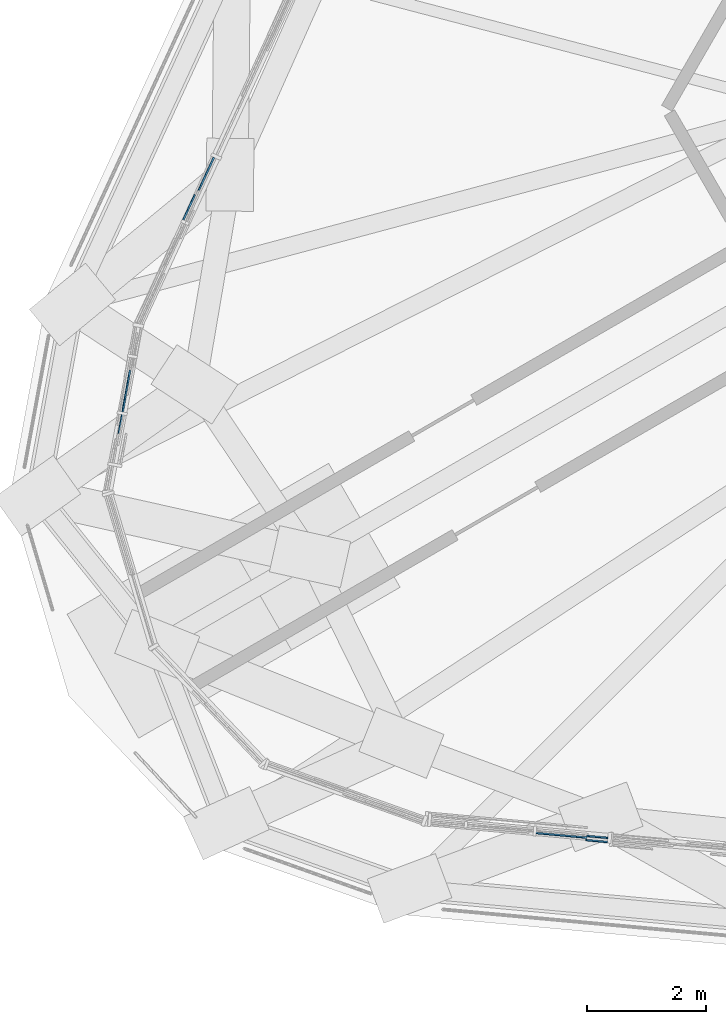
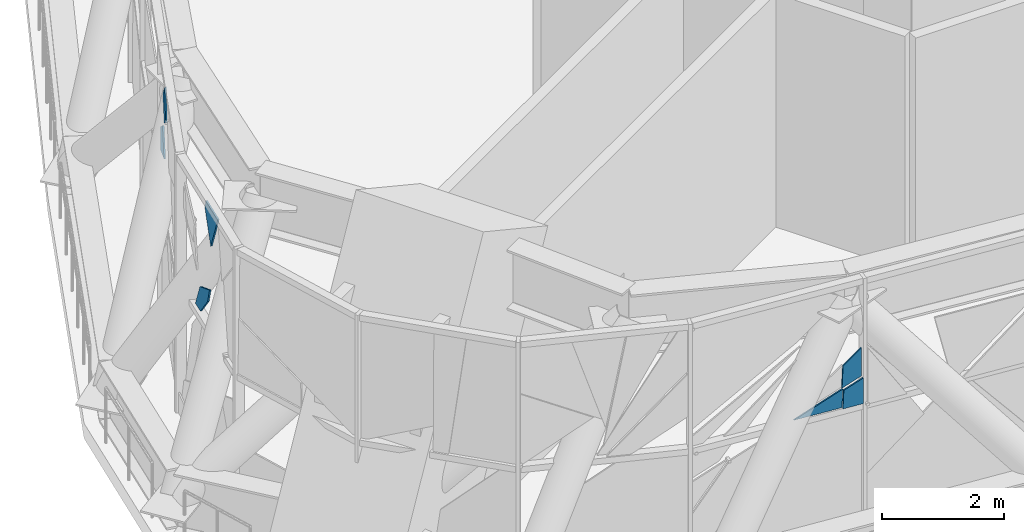
# One storey, part 19 of 35: 7 plates, 3 elements without a shape of their own.
"""IFC4 building model written with IfcOpenShell, lengths in metres."""

import ifcopenshell
import ifcopenshell.guid

model = None  # the IFC model being written
_history = None  # IfcOwnerHistory: only IFC2X3 demands one
_inside = {}  # id of a spatial element -> (the spatial element, [elements in it])
_under = {}  # id of a project, library or spatial element -> (it, [spatial elements below it])
_declared = {}  # id of a project -> (the project, [libraries it declares])
_typed = {}  # id of a type object -> (the type object, [elements of that type])
_made_of = {}  # id of a material, layer set ... -> (it, [elements and type objects made of it])


def new_model(schema):
    """Start an empty IFC model of exactly this schema.

    Asked for "IFC4X3", IfcOpenShell would pick the latest addendum, in which some entities
    have other attributes; the version numbers below select the first issue.
    IFC2X3 requires an IfcOwnerHistory on every rooted entity: one is made here for all.
    """
    global model, _history
    if schema == "IFC4X3":
        model = ifcopenshell.file(schema_version=(4, 3, 0, 0))
    else:
        model = ifcopenshell.file(schema=schema)
    _inside.clear()
    _under.clear()
    _declared.clear()
    _typed.clear()
    _made_of.clear()
    _history = None
    if model.schema == "IFC2X3":
        org = make("IfcOrganization", Name="unknown")
        user = make(
            "IfcPersonAndOrganization",
            ThePerson=make("IfcPerson", FamilyName="unknown"),
            TheOrganization=org,
        )
        app = make(
            "IfcApplication",
            ApplicationDeveloper=org,
            Version="unknown",
            ApplicationFullName="unknown",
            ApplicationIdentifier="unknown",
        )
        _history = make(
            "IfcOwnerHistory",
            OwningUser=user,
            OwningApplication=app,
            ChangeAction="ADDED",
            CreationDate=0,
        )
    return model


def make(cls, **values):
    """One entity of the class cls with the attributes given. An attribute that is None is left unset."""
    return model.create_entity(
        cls, **{name: value for name, value in values.items() if value is not None}
    )


def rooted(cls, **values):
    """An entity with a GlobalId (a new one), such as an element, a storey or a relation."""
    return make(cls, GlobalId=ifcopenshell.guid.new(), OwnerHistory=_history, **values)


def si_unit(unit_type, name, prefix=None):
    """IfcSIUnit, for example si_unit("LENGTHUNIT", "METRE", prefix="MILLI")."""
    return make("IfcSIUnit", UnitType=unit_type, Prefix=prefix, Name=name)


def assignment(units):
    """IfcUnitAssignment: the units of a project."""
    return None if units is None else make("IfcUnitAssignment", Units=units)


def point(xyz):
    """IfcCartesianPoint."""
    return None if xyz is None else make("IfcCartesianPoint", Coordinates=xyz)


def direction(xyz):
    """IfcDirection."""
    return None if xyz is None else make("IfcDirection", DirectionRatios=xyz)


def frame(location, z_axis=None, x_axis=None):
    """IfcAxis2Placement3D, a coordinate frame: its origin and axes. An axis left out is left unset."""
    return make(
        "IfcAxis2Placement3D",
        Location=point(location),
        Axis=direction(z_axis),
        RefDirection=direction(x_axis),
    )


def origin():
    """The frame at (0, 0, 0) with its axes left unset."""
    return frame((0.0, 0.0, 0.0))


def place(relative_to, where):
    """IfcLocalPlacement: puts the frame where relative to a parent placement (None: the world)."""
    return make(
        "IfcLocalPlacement", PlacementRelTo=relative_to, RelativePlacement=where
    )


def context(
    kind, dimensions, precision=None, world=None, true_north=None, identifier=None
):
    """IfcGeometricRepresentationContext, for example the 3D "Model" context."""
    return make(
        "IfcGeometricRepresentationContext",
        ContextIdentifier=identifier,
        ContextType=kind,
        CoordinateSpaceDimension=dimensions,
        Precision=precision,
        WorldCoordinateSystem=world,
        TrueNorth=true_north,
    )


def subcontext(parent, identifier, kind, view, scale=None):
    """IfcGeometricRepresentationSubContext, for example "Body" below "Model"."""
    return make(
        "IfcGeometricRepresentationSubContext",
        ContextIdentifier=identifier,
        ContextType=kind,
        ParentContext=parent,
        TargetScale=scale,
        TargetView=view,
    )


def project(units=None, contexts=None):
    """IfcProject with its units and contexts."""
    return rooted(
        "IfcProject",
        Name="project",
        RepresentationContexts=contexts,
        UnitsInContext=assignment(units),
    )


def spatial(cls, under=None, at=None, **own):
    """A site, building, storey or space (cls), placed at a placement, below another one or the project."""
    s = rooted(cls, ObjectPlacement=at, **own)
    if under is not None:
        _under.setdefault(under.id(), (under, []))[1].append(s)
    return s


def polyline(points):
    """IfcPolyline through the points."""
    return make("IfcPolyline", Points=[point(p) for p in points])


def outline(outer, holes=None, kind="AREA"):
    """IfcArbitraryClosedProfileDef: a profile drawn as a closed curve; with holes, ...WithVoids."""
    if holes is None:
        return make("IfcArbitraryClosedProfileDef", ProfileType=kind, OuterCurve=outer)
    return make(
        "IfcArbitraryProfileDefWithVoids",
        ProfileType=kind,
        OuterCurve=outer,
        InnerCurves=holes,
    )


def extrude(swept, where, along, depth):
    """IfcExtrudedAreaSolid: the profile swept, set in the frame where, extruded along a direction by depth."""
    return make(
        "IfcExtrudedAreaSolid",
        SweptArea=swept,
        Position=where,
        ExtrudedDirection=direction(along),
        Depth=depth,
    )


def shape(context_of_items, identifier, shape_type, items):
    """IfcShapeRepresentation: the items that make up one representation, for example the "Body"."""
    return make(
        "IfcShapeRepresentation",
        ContextOfItems=context_of_items,
        RepresentationIdentifier=identifier,
        RepresentationType=shape_type,
        Items=items,
    )


def material(Name=None, Category=None):
    """IfcMaterial."""
    return make("IfcMaterial", Name=Name, Category=Category)


def layer(
    of_material, thickness, ventilated=None, Name=None, Category=None, Priority=None
):
    """IfcMaterialLayer: one layer of a wall or slab, of a material (None: an air gap)."""
    return make(
        "IfcMaterialLayer",
        Material=of_material,
        LayerThickness=thickness,
        IsVentilated=ventilated,
        Name=Name,
        Category=Category,
        Priority=Priority,
    )


def layer_set(layers, Name=None):
    """IfcMaterialLayerSet."""
    return make("IfcMaterialLayerSet", MaterialLayers=layers, LayerSetName=Name)


def made_of(thing, what):
    """Note that an element or type object is made of a material, layer set ...; save() writes the relation."""
    if what is not None:
        _made_of.setdefault(what.id(), (what, []))[1].append(thing)
    return thing


def type_object(cls, material=None, **own):
    """A type object (cls), such as IfcWallType, which elements share."""
    return made_of(rooted(cls, **own), material)


def element(
    cls,
    number,
    at=None,
    inside=None,
    cuts=None,
    type_object=None,
    material=None,
    context=None,
    identifier="Body",
    shape_type=None,
    held_by="IfcProductDefinitionShape",
    body=None,
    shapes=None,
    **own,
):
    """One element of the class cls, such as IfcWall. Its Tag is "e" and its number.

    at: its placement. inside: the storey or other place that contains it. cuts: it is an
    opening in that element (IfcRelVoidsElement). A single representation is given by context,
    identifier, shape_type and body (its items); several are given by shapes. held_by: the class
    of the entity that holds the representations. save() writes the other relations.
    """
    e = rooted(cls, Tag="e%d" % number, ObjectPlacement=at, **own)
    if body is not None:
        shapes = [shape(context, identifier, shape_type, body)]
    if shapes is not None:
        e.Representation = make(held_by, Representations=shapes)
    if inside is not None:
        _inside.setdefault(inside.id(), (inside, []))[1].append(e)
    if cuts is not None:
        rooted(
            "IfcRelVoidsElement", RelatingBuildingElement=cuts, RelatedOpeningElement=e
        )
    if type_object is not None:
        _typed.setdefault(type_object.id(), (type_object, []))[1].append(e)
    return made_of(e, material)


def aggregate(whole, parts):
    """IfcRelAggregates: a whole, such as a stair, and the parts it consists of."""
    return rooted("IfcRelAggregates", RelatingObject=whole, RelatedObjects=parts)


def save(model, path):
    """Write the relations noted so far, then the file.

    IfcRelAggregates (storeys below a building ...), IfcRelContainedInSpatialStructure (elements
    in a storey), IfcRelDefinesByType, IfcRelAssociatesMaterial and IfcRelDeclares: one each for
    every whole, place, type object, material and project.
    """
    for whole, parts in _under.values():
        aggregate(whole, parts)
    for where, things in _inside.values():
        rooted(
            "IfcRelContainedInSpatialStructure",
            RelatedElements=things,
            RelatingStructure=where,
        )
    for kind, things in _typed.values():
        rooted("IfcRelDefinesByType", RelatedObjects=things, RelatingType=kind)
    for what, things in _made_of.values():
        rooted("IfcRelAssociatesMaterial", RelatedObjects=things, RelatingMaterial=what)
    for by, libraries in _declared.values():
        rooted("IfcRelDeclares", RelatingContext=by, RelatedDefinitions=libraries)
    model.write(path)


model = new_model("IFC4")

# Units and contexts
model_context = context("Model", 3, precision=1e-05, world=origin(), true_north=direction((0.0, 1.0)))
body_context = subcontext(model_context, "Body", "Model", "MODEL_VIEW")
ifc_project = project(units=[si_unit("LENGTHUNIT", "METRE"), si_unit("AREAUNIT", "SQUARE_METRE"), si_unit("VOLUMEUNIT", "CUBIC_METRE"), si_unit("PLANEANGLEUNIT", "RADIAN"), si_unit("MASSUNIT", "GRAM", prefix="KILO")], contexts=[model_context])

# Site, building, storey
site_placement = place(None, origin())
site = spatial("IfcSite", under=ifc_project, at=site_placement, CompositionType="ELEMENT")
building_placement = place(site_placement, origin())
building = spatial("IfcBuilding", under=site, at=building_placement, Name="Mestral Congress Tower", CompositionType="ELEMENT")
storey_placement = place(building_placement, frame((0.0, 0.0, 196.199951171875)))
storey = spatial("IfcBuildingStorey", under=building, at=storey_placement, Name="L46", CompositionType="ELEMENT", Elevation=196.199951171875)

# Curtain wall, plates
ifc_material_1 = material(Name="Clear low-emissivity double glazing", Category="glass")
curtain_wall_type = type_object("IfcCurtainWallType", Name="Facade refuge band screen", PredefinedType="USERDEFINED", material=ifc_material_1)
placement = place(storey_placement, origin())
curtain_wall_1 = element("IfcCurtainWall", 1, at=placement, inside=storey, type_object=curtain_wall_type, Name="Facade refuge band screen corner 3", ObjectType="CURTAIN WALL", PredefinedType="USERDEFINED")
ifc_material_2 = material(Name="Anodised aluminium", Category="aluminium")
ifc_layer_1 = layer(ifc_material_2, 0.028076171875)
ifc_layer_set_1 = layer_set([ifc_layer_1], Name="Anodised aluminium")
plate_type_1 = type_object("IfcPlateType", Name="Facade refuge band screen brace cover panel", PredefinedType="CURTAIN_PANEL", material=ifc_layer_set_1)
plate_1_placement = place(storey_placement, frame((-27.0966796875, -10.956298828125, 3.134521484375), z_axis=(-0.983481844157, 0.180992424672, 0.002281320904), x_axis=(-0.160520127382, -0.877924646615, 0.451089352093)))
plate_1 = element("IfcPlate", 2, at=plate_1_placement, type_object=plate_type_1, Name="Facade refuge band screen brace cover panel", PredefinedType="CURTAIN_PANEL", context=body_context, shape_type="SweptSolid", body=[
    extrude(outline(polyline([(0.0, 0.0), (0.5222809167313478, 5.551115123125783e-17), (0.3111134745646191, -0.21660935327501396), (-0.19297125281564084, -0.4339815483312236), (-0.40652872886132385, -0.3260421822222483), (0.0, 0.0)])), origin(), (0.0, 0.0, -1.0), 0.028076171875),
])
plate_2_placement = place(storey_placement, frame((-27.248779296875, -11.804443359375, 5.030029296875), z_axis=(-0.983538147679, 0.180691253605, 0.001839274679), x_axis=(0.073138364803, 0.40737287873, -0.910328576542)))
plate_2 = element("IfcPlate", 3, at=plate_2_placement, type_object=plate_type_1, Name="Facade refuge band screen brace cover panel", PredefinedType="CURTAIN_PANEL", context=body_context, shape_type="SweptSolid", body=[
    extrude(outline(polyline([(0.0, 0.0), (0.8252193994476587, 0.0), (0.40805513100210744, -0.5034724717855713), (0.243379281836104, -0.5353093255890309), (0.0, 0.0)])), origin(), (0.0, 0.0, -1.0), 0.028076171875),
])
aggregate(curtain_wall_1, [plate_1, plate_2])

curtain_wall_2 = element("IfcCurtainWall", 4, at=placement, inside=storey, type_object=curtain_wall_type, Name="Facade refuge band screen face 1", ObjectType="CURTAIN WALL", PredefinedType="USERDEFINED")
ifc_layer_2 = layer(ifc_material_1, 0.028076171875)
ifc_layer_set_2 = layer_set([ifc_layer_2], Name="Clear low-emissivity double glazing")
plate_type_2 = type_object("IfcPlateType", Name="Facade refuge band screen panel", PredefinedType="CURTAIN_PANEL", material=ifc_layer_set_2)
plate_3_placement = place(storey_placement, frame((-20.26220703125, -18.518798828125, 2.66015625), z_axis=(-0.091580260778, -0.995794008402, 0.002710842271), x_axis=(0.919886896778, -0.083556179535, 0.383179412283)))
plate_3 = element("IfcPlate", 5, at=plate_3_placement, type_object=plate_type_2, Name="Refuge screen glass unit", PredefinedType="CURTAIN_PANEL", context=body_context, shape_type="SweptSolid", body=[
    extrude(outline(polyline([(0.0, 0.0), (0.9525309102607308, 0.0), (0.7978109715621571, -0.33096750295073946), (0.0, 0.0)])), origin(), (0.0, 0.0, -1.0), 0.028076171875),
])
plate_4_placement = place(storey_placement, frame((-19.040283203125, -18.673095703125, 2.66015625), z_axis=(-0.091117022815, -0.995838220167, 0.001981769118), x_axis=(-0.995840175719, 0.091117201578, -8.361e-08)))
plate_4 = element("IfcPlate", 6, at=plate_4_placement, type_object=plate_type_2, Name="Refuge screen glass unit", PredefinedType="CURTAIN_PANEL", context=body_context, shape_type="SweptSolid", body=[
    extrude(outline(polyline([(0.0, 0.0), (0.36724893550870435, -1.3552527156068805e-20), (0.3511359159287, -0.3649909804687068), (-0.00015418602242287782, -0.5097665953131921), (0.0, 0.0)])), origin(), (0.0, 0.0, -1.0), 0.028076171875),
])
plate_5_placement = place(storey_placement, frame((-19.03369140625, -18.6025390625, 3.169921875), z_axis=(-0.091582662619, -0.995795442376, 0.002013169213), x_axis=(-0.920753911821, 0.08391085848, -0.381013387818)))
plate_5 = element("IfcPlate", 7, at=plate_5_placement, type_object=plate_type_2, Name="Refuge screen glass unit", PredefinedType="CURTAIN_PANEL", context=body_context, shape_type="SweptSolid", body=[
    extrude(outline(polyline([(0.0, 0.0), (0.3799740276063503, -2.7755575615628914e-17), (0.19761827604843538, -0.392500203938108), (-0.21124093330801066, -0.5128907984046287), (0.0, 0.0)])), origin(), (0.0, 0.0, -1.0), 0.028076171875),
])
aggregate(curtain_wall_2, [plate_3, plate_4, plate_5])

curtain_wall_3 = element("IfcCurtainWall", 8, at=placement, inside=storey, type_object=curtain_wall_type, Name="Facade refuge band screen face 3", ObjectType="CURTAIN WALL", PredefinedType="USERDEFINED")
plate_6_placement = place(storey_placement, frame((-26.09375, -8.06494140625, 5.011962890625), z_axis=(-0.908001838443, 0.418960925644, 0.002098610607), x_axis=(-0.137976889534, -0.294296202177, -0.945701920977)))
plate_6 = element("IfcPlate", 9, at=plate_6_placement, type_object=plate_type_2, Name="Refuge screen glass unit", PredefinedType="CURTAIN_PANEL", context=body_context, shape_type="SweptSolid", body=[
    extrude(outline(polyline([(0.0, 0.0), (0.6038316766797059, -2.7755575615628914e-17), (0.7036226699782286, -0.2947839413683143), (0.22809721236982397, -0.3916748625121905), (0.0, 0.0)])), origin(), (0.0, 0.0, -1.0), 0.028076171875),
])
plate_7_placement = place(storey_placement, frame((-25.652587890625, -7.170654296875, 3.05908203125), z_axis=(-0.908155961628, 0.418628667433, 0.001669779023), x_axis=(0.001593443008, -0.000531931796, 0.999998588993)))
plate_7 = element("IfcPlate", 10, at=plate_7_placement, type_object=plate_type_2, Name="Refuge screen glass unit", PredefinedType="CURTAIN_PANEL", context=body_context, shape_type="SweptSolid", body=[
    extrude(outline(polyline([(0.0, 0.0), (0.46142642711365883, -2.710505431213761e-20), (0.714052070761871, -0.32755528375794396), (0.23841396644963603, -0.6074193032894695), (0.0, 0.0)])), origin(), (0.0, 0.0, -1.0), 0.028076171875),
])
aggregate(curtain_wall_3, [plate_6, plate_7])

save(model, "model.ifc")
